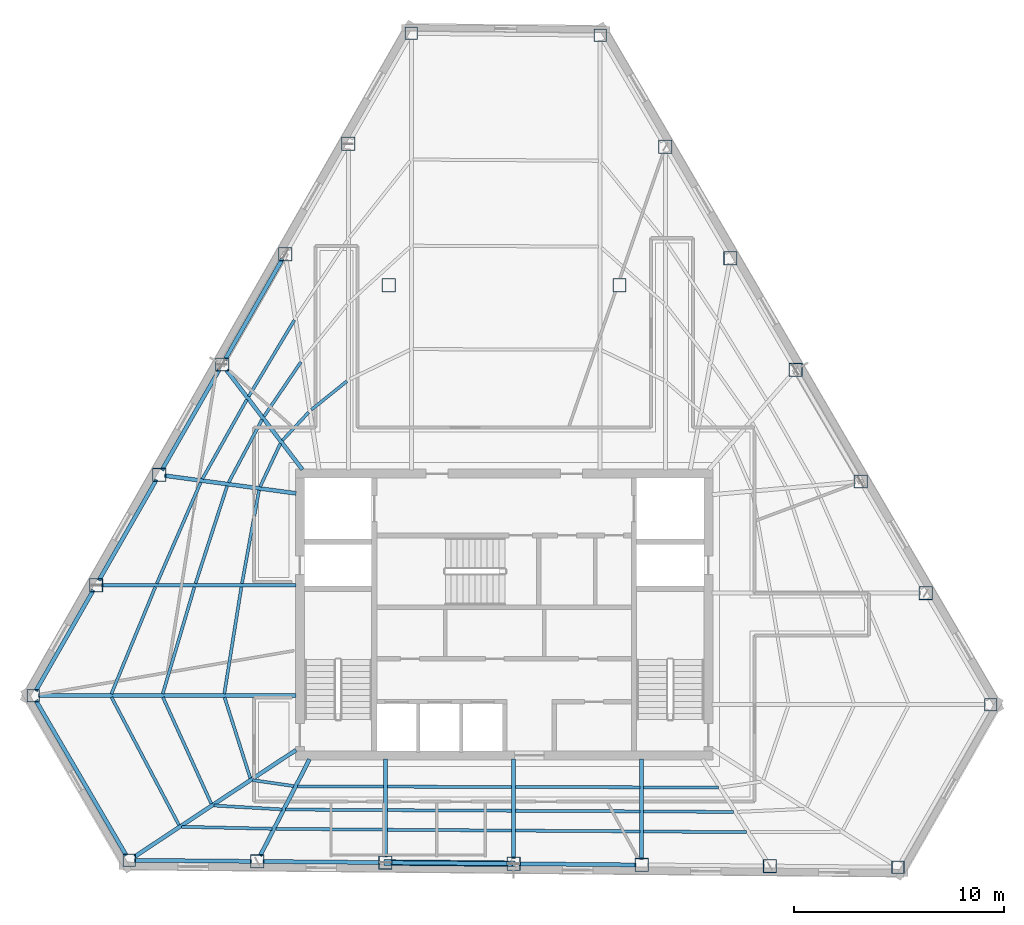
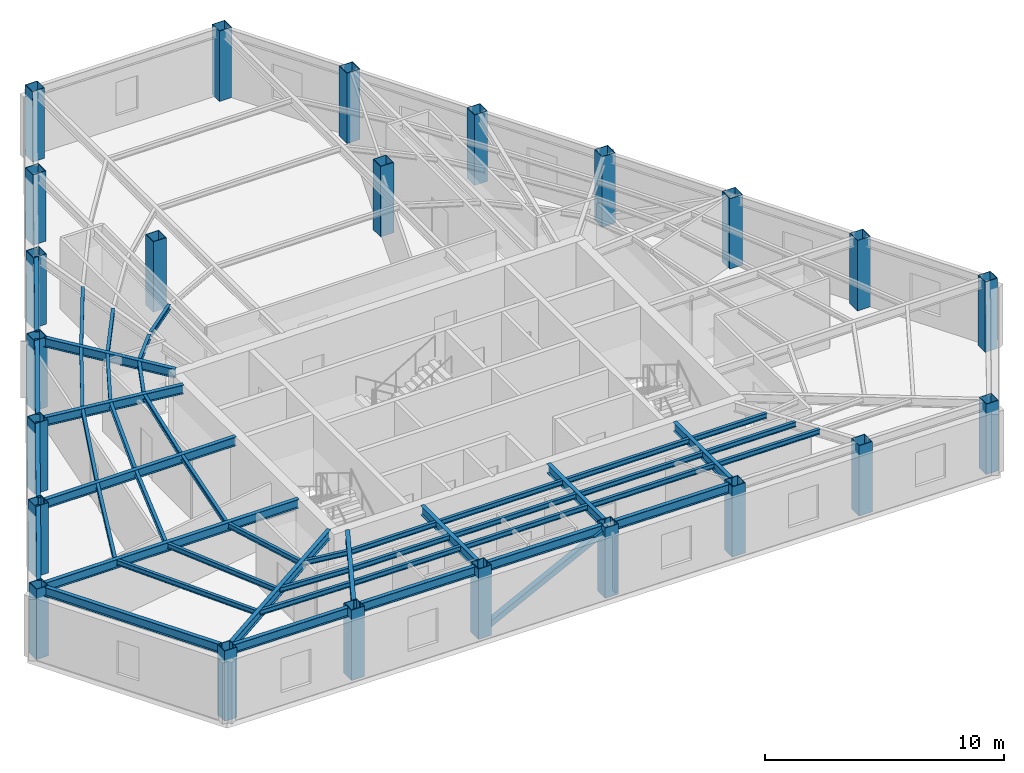
# One storey, part 1 of 11: 49 beams, 23 columns, 1 member.
"""IFC4 building model written with IfcOpenShell, lengths in metres."""

from ifc_helpers import new_model, si_unit, direction, frame, origin, origin_2d, place, context, subcontext, project, spatial, hollow_rectangle, i_section, extrude, material, material_profile, profile_set, type_object, element, save


model = new_model("IFC4")

# Units and contexts
model_context = context("Model", 3, precision=1e-05, world=origin(), true_north=direction((0.0, 1.0)))
body_context = subcontext(model_context, "Body", "Model", "MODEL_VIEW")
ifc_project = project(units=[si_unit("LENGTHUNIT", "METRE"), si_unit("AREAUNIT", "SQUARE_METRE"), si_unit("VOLUMEUNIT", "CUBIC_METRE"), si_unit("PLANEANGLEUNIT", "RADIAN"), si_unit("MASSUNIT", "GRAM", prefix="KILO")], contexts=[model_context])

# Site, building, storey
site_placement = place(None, origin())
site = spatial("IfcSite", under=ifc_project, at=site_placement, CompositionType="ELEMENT")
building_placement = place(site_placement, origin())
building = spatial("IfcBuilding", under=site, at=building_placement, Name="Kavelnor Concourse Tower", CompositionType="ELEMENT")
storey_placement = place(building_placement, frame((0.0, 0.0, 184.25)))
storey = spatial("IfcBuildingStorey", under=building, at=storey_placement, Name="L46", CompositionType="ELEMENT", Elevation=184.25)

# Columns
ifc_material = material(Name="Steel Grade 350", Category="steel")
ifc_material_profile_1 = material_profile(ifc_material, hollow_rectangle(XDim=0.60009765625, YDim=0.60009765625, WallThickness=0.028076171875, at=origin_2d()), Name="SHS 600x600x28")
ifc_profile_set_1 = profile_set([ifc_material_profile_1], Name="Steel Grade 350")
column_type_1 = type_object("IfcColumnType", Name="COL-FOLD-Z3", PredefinedType="COLUMN", material=ifc_profile_set_1)
for number, where, z_axis, x_axis, name in (
    (1, (33.572265625, 43.81005859375, 0.0), (0.0, 0.0, 1.0), (1.0, 0.0, 0.0), "L46 Perimeter Corner-Fold Column F0-B0"),
    (2, (15.53515625, 12.23291015625, 0.0), (0.0, 0.0, 1.0), (1.0, 0.0, 0.0), "L46 Perimeter Corner-Fold Column F0-B6"),
    (3, (20.11474609375, 4.38330078125, 0.0), (0.0, 0.0, 1.0), (1.0, 0.0, 0.0), "L46 Perimeter Corner-Fold Column F1-B0"),
    (4, (56.77978515625, 4.04736328125, 0.0), (0.0, 0.0, 1.0), (1.0, 0.0, 0.0), "L46 Perimeter Corner-Fold Column F1-B6"),
    (5, (61.207763671875, 11.799072265625, 0.0), (0.0, 0.0, 1.0), (1.0, 0.0, 0.0), "L46 Perimeter Corner-Fold Column F2-B0"),
    (6, (42.57958984375, 43.727294921875, 0.0), (0.0, 0.0, 1.0), (1.0, 0.0, 0.0), "L46 Perimeter Corner-Fold Column F2-B6"),
):
    element("IfcColumn", number, at=place(storey_placement, frame(where, z_axis=z_axis, x_axis=x_axis)), inside=storey, type_object=column_type_1, Name=name, PredefinedType="COLUMN", context=body_context, shape_type="SweptSolid", body=[
        extrude(hollow_rectangle(XDim=0.60009765625, YDim=0.60009765625, WallThickness=0.028076171875, at=origin_2d()), origin(), (0.0, 0.0, 1.0), 3.60009765625),
    ])
ifc_material_profile_2 = material_profile(ifc_material, hollow_rectangle(XDim=0.639892578125, YDim=0.639892578125, WallThickness=0.028076171875, at=origin_2d()), Name="SHS 640x640x28")
ifc_profile_set_2 = profile_set([ifc_material_profile_2], Name="Steel Grade 350")
column_type_2 = type_object("IfcColumnType", Name="COL-TUBE-Z3", PredefinedType="COLUMN", material=ifc_profile_set_2)
for number, where, z_axis, x_axis, name in (
    (7, (30.56591796875, 38.547119140625, 0.0), (0.0, 0.0, 1.0), (1.0, 0.0, 0.0), "L46 Perimeter Framed-Tube Column F0-B1"),
    (8, (27.559814453125, 33.2841796875, 0.0), (0.0, 0.0, 1.0), (1.0, 0.0, 0.0), "L46 Perimeter Framed-Tube Column F0-B2"),
    (9, (24.5537109375, 28.021484375, 0.0), (0.0, 0.0, 1.0), (1.0, 0.0, 0.0), "L46 Perimeter Framed-Tube Column F0-B3"),
    (10, (21.547607421875, 22.758544921875, 0.0), (0.0, 0.0, 1.0), (1.0, 0.0, 0.0), "L46 Perimeter Framed-Tube Column F0-B4"),
    (11, (18.54150390625, 17.495849609375, 0.0), (0.0, 0.0, 1.0), (1.0, 0.0, 0.0), "L46 Perimeter Framed-Tube Column F0-B5"),
    (12, (26.2255859375, 4.327392578125, 0.0), (0.0, 0.0, 1.0), (1.0, 0.0, 0.0), "L46 Perimeter Framed-Tube Column F1-B1"),
    (13, (32.33642578125, 4.271484375, 0.0), (0.0, 0.0, 1.0), (1.0, 0.0, 0.0), "L46 Perimeter Framed-Tube Column F1-B2"),
    (14, (38.447509765625, 4.21533203125, 0.0), (0.0, 0.0, 1.0), (1.0, 0.0, 0.0), "L46 Perimeter Framed-Tube Column F1-B3"),
    (15, (44.55810546875, 4.1591796875, 0.0), (0.0, 0.0, 1.0), (1.0, 0.0, 0.0), "L46 Perimeter Framed-Tube Column F1-B4"),
    (16, (50.6689453125, 4.103271484375, 0.0), (0.0, 0.0, 1.0), (1.0, 0.0, 0.0), "L46 Perimeter Framed-Tube Column F1-B5"),
    (17, (58.10302734375, 17.120361328125, 0.0), (0.0, 0.0, 1.0), (1.0, 0.0, 0.0), "L46 Perimeter Framed-Tube Column F2-B1"),
    (18, (54.998291015625, 22.44189453125, 0.0), (0.0, 0.0, 1.0), (1.0, 0.0, 0.0), "L46 Perimeter Framed-Tube Column F2-B2"),
    (19, (51.893798828125, 27.76318359375, 0.0), (0.0, 0.0, 1.0), (1.0, 0.0, 0.0), "L46 Perimeter Framed-Tube Column F2-B3"),
    (20, (48.7890625, 33.084716796875, 0.0), (0.0, 0.0, 1.0), (1.0, 0.0, 0.0), "L46 Perimeter Framed-Tube Column F2-B4"),
    (21, (45.684326171875, 38.406005859375, 0.0), (0.0, 0.0, 1.0), (1.0, 0.0, 0.0), "L46 Perimeter Framed-Tube Column F2-B5"),
    (22, (32.5, 31.800048828125, 0.0), (0.0, 0.0, 1.0), (1.0, 0.0, 0.0), "L46 North Interior Gravity Column BC-NW"),
    (23, (43.5, 31.800048828125, 0.0), (0.0, 0.0, 1.0), (1.0, 0.0, 0.0), "L46 North Interior Gravity Column BC-NE"),
):
    element("IfcColumn", number, at=place(storey_placement, frame(where, z_axis=z_axis, x_axis=x_axis)), inside=storey, type_object=column_type_2, Name=name, PredefinedType="COLUMN", context=body_context, shape_type="SweptSolid", body=[
        extrude(hollow_rectangle(XDim=0.639892578125, YDim=0.639892578125, WallThickness=0.028076171875, at=origin_2d()), origin(), (0.0, 0.0, 1.0), 3.60009765625),
    ])

# Beams
ifc_material_profile_3 = material_profile(ifc_material, i_section(OverallWidth=0.14599609375, OverallDepth=0.256103515625, WebThickness=0.00634765625, FlangeThickness=0.010986328125, at=origin_2d()), Name="250UB37")
ifc_profile_set_3 = profile_set([ifc_material_profile_3], Name="Steel Grade 350")
beam_type_1 = type_object("IfcBeamType", Name="BM-JOIST-250", PredefinedType="JOIST", material=ifc_profile_set_3)
beam_1_placement = place(storey_placement, frame((24.667236328125, 12.148193359375, 3.471923828125), z_axis=(0.303430728848, -0.952853500173, 0.0), x_axis=(0.952853500173, 0.303430728848, 0.0)))
element("IfcBeam", 24, at=beam_1_placement, inside=storey, type_object=beam_type_1, Name="L46 Secondary Composite Joist 01-1", PredefinedType="JOIST", context=body_context, shape_type="SweptSolid", body=[
    extrude(i_section(OverallWidth=0.14599609375, OverallDepth=0.256103515625, WebThickness=0.00634765625, FlangeThickness=0.010986328125, at=origin_2d()), origin(), (0.0, 0.0, 1.0), 4.038330078125),
])
beam_2_placement = place(storey_placement, frame((21.728759765625, 12.15185546875, 3.471923828125), z_axis=(0.414027324102, -0.910264453275, 0.0), x_axis=(0.910264453275, 0.414027324102, 0.0)))
element("IfcBeam", 25, at=beam_2_placement, inside=storey, type_object=beam_type_1, Name="L46 Secondary Composite Joist 01-2", PredefinedType="JOIST", context=body_context, shape_type="SweptSolid", body=[
    extrude(i_section(OverallWidth=0.14599609375, OverallDepth=0.256103515625, WebThickness=0.00634765625, FlangeThickness=0.010986328125, at=origin_2d()), origin(), (0.0, 0.0, 1.0), 5.57421875),
])
beam_3_placement = place(storey_placement, frame((19.276611328125, 12.154296875, 3.471923828125), z_axis=(0.466816344471, -0.884354284512, 0.0), x_axis=(0.884354284512, 0.466816344471, 0.0)))
element("IfcBeam", 26, at=beam_3_placement, inside=storey, type_object=beam_type_1, Name="L46 Secondary Composite Joist 01-3", PredefinedType="JOIST", context=body_context, shape_type="SweptSolid", body=[
    extrude(i_section(OverallWidth=0.14599609375, OverallDepth=0.256103515625, WebThickness=0.00634765625, FlangeThickness=0.010986328125, at=origin_2d()), origin(), (0.0, 0.0, 1.0), 6.891357421875),
])
beam_4_placement = place(storey_placement, frame((26.0078125, 8.202880859375, 3.471923828125), z_axis=(0.989673790529, -0.143338021263, 0.0), x_axis=(0.143338021263, 0.989673790529, 0.0)))
element("IfcBeam", 27, at=beam_4_placement, inside=storey, type_object=beam_type_1, Name="L46 Secondary Composite Joist 02-1", PredefinedType="JOIST", context=body_context, shape_type="SweptSolid", body=[
    extrude(i_section(OverallWidth=0.14599609375, OverallDepth=0.256103515625, WebThickness=0.00634765625, FlangeThickness=0.010986328125, at=origin_2d()), origin(), (0.0, 0.0, 1.0), 1.979248046875),
])
beam_5_placement = place(storey_placement, frame((24.162353515625, 6.99169921875, 3.471923828125), z_axis=(0.998371579355, -0.057045504082, 0.0), x_axis=(0.057045504082, 0.998371579355, 0.0)))
element("IfcBeam", 28, at=beam_5_placement, inside=storey, type_object=beam_type_1, Name="L46 Secondary Composite Joist 02-2", PredefinedType="JOIST", context=body_context, shape_type="SweptSolid", body=[
    extrude(i_section(OverallWidth=0.14599609375, OverallDepth=0.256103515625, WebThickness=0.00634765625, FlangeThickness=0.010986328125, at=origin_2d()), origin(), (0.0, 0.0, 1.0), 3.244140625),
])
beam_6_placement = place(storey_placement, frame((22.6240234375, 5.979248046875, 3.471923828125), z_axis=(0.999749358505, -0.02238794697, 0.0), x_axis=(0.02238794697, 0.999749358505, 0.0)))
element("IfcBeam", 29, at=beam_6_placement, inside=storey, type_object=beam_type_1, Name="L46 Secondary Composite Joist 02-3", PredefinedType="JOIST", context=body_context, shape_type="SweptSolid", body=[
    extrude(i_section(OverallWidth=0.14599609375, OverallDepth=0.256103515625, WebThickness=0.00634765625, FlangeThickness=0.010986328125, at=origin_2d()), origin(), (0.0, 0.0, 1.0), 4.307373046875),
])
beam_7_placement = place(storey_placement, frame((28.1435546875, 7.90625, 3.471923828125), z_axis=(0.999994840368, -0.003212357012, 0.0), x_axis=(0.003212357012, 0.999994840368, 0.0)))
element("IfcBeam", 30, at=beam_7_placement, inside=storey, type_object=beam_type_1, Name="L46 Secondary Composite Joist 03-1", PredefinedType="JOIST", context=body_context, shape_type="SweptSolid", body=[
    extrude(i_section(OverallWidth=0.14599609375, OverallDepth=0.256103515625, WebThickness=0.00634765625, FlangeThickness=0.010986328125, at=origin_2d()), origin(), (0.0, 0.0, 1.0), 4.10400390625),
])
beam_8_placement = place(storey_placement, frame((27.5791015625, 6.801025390625, 3.471923828125), z_axis=(0.999981916301, -0.006013906515, 0.0), x_axis=(0.006013906515, 0.999981916301, 0.0)))
element("IfcBeam", 31, at=beam_8_placement, inside=storey, type_object=beam_type_1, Name="L46 Secondary Composite Joist 03-2", PredefinedType="JOIST", context=body_context, shape_type="SweptSolid", body=[
    extrude(i_section(OverallWidth=0.14599609375, OverallDepth=0.256103515625, WebThickness=0.00634765625, FlangeThickness=0.010986328125, at=origin_2d()), origin(), (0.0, 0.0, 1.0), 4.66845703125),
])
beam_9_placement = place(storey_placement, frame((27.1083984375, 5.880126953125, 3.471923828125), z_axis=(0.99996853134, -0.00793324203, 0.0), x_axis=(0.00793324203, 0.99996853134, 0.0)))
element("IfcBeam", 32, at=beam_9_placement, inside=storey, type_object=beam_type_1, Name="L46 Secondary Composite Joist 03-3", PredefinedType="JOIST", context=body_context, shape_type="SweptSolid", body=[
    extrude(i_section(OverallWidth=0.14599609375, OverallDepth=0.256103515625, WebThickness=0.00634765625, FlangeThickness=0.010986328125, at=origin_2d()), origin(), (0.0, 0.0, 1.0), 5.139404296875),
])
for number, where, z_axis, x_axis, name in (
    (33, (32.425537109375, 7.892578125, 3.471923828125), (0.999996639525, -0.002592477194, 0.0), (0.002592477194, 0.999996639525, 0.0), "L46 Secondary Composite Joist 04-1"),
    (34, (32.425537109375, 6.77197265625, 3.471923828125), (0.999988607205, -0.004773411729, 0.0), (0.004773411729, 0.999988607205, 0.0), "L46 Secondary Composite Joist 04-2"),
):
    element("IfcBeam", number, at=place(storey_placement, frame(where, z_axis=z_axis, x_axis=x_axis)), inside=storey, type_object=beam_type_1, Name=name, PredefinedType="JOIST", context=body_context, shape_type="SweptSolid", body=[
        extrude(i_section(OverallWidth=0.14599609375, OverallDepth=0.256103515625, WebThickness=0.00634765625, FlangeThickness=0.010986328125, at=origin_2d()), origin(), (0.0, 0.0, 1.0), 5.932861328125),
    ])
beam_10_placement = place(storey_placement, frame((32.425537109375, 5.837890625, 3.471923828125), z_axis=(0.999978325576, -0.006583948483, 0.0), x_axis=(0.006583948483, 0.999978325576, 0.0)))
element("IfcBeam", 35, at=beam_10_placement, inside=storey, type_object=beam_type_1, Name="L46 Secondary Composite Joist 04-3", PredefinedType="JOIST", context=body_context, shape_type="SweptSolid", body=[
    extrude(i_section(OverallWidth=0.14599609375, OverallDepth=0.256103515625, WebThickness=0.00634765625, FlangeThickness=0.010986328125, at=origin_2d()), origin(), (0.0, 0.0, 1.0), 5.93310546875),
])
for number, where, z_axis, x_axis, name in (
    (36, (38.536376953125, 7.876953125, 3.471923828125), (0.999996639525, -0.002592477194, 0.0), (0.002592477194, 0.999996639525, 0.0), "L46 Secondary Composite Joist 05-1"),
    (37, (38.536376953125, 6.74267578125, 3.471923828125), (0.999988802783, -0.004732262554, 0.0), (0.004732262554, 0.999988802783, 0.0), "L46 Secondary Composite Joist 05-2"),
):
    element("IfcBeam", number, at=place(storey_placement, frame(where, z_axis=z_axis, x_axis=x_axis)), inside=storey, type_object=beam_type_1, Name=name, PredefinedType="JOIST", context=body_context, shape_type="SweptSolid", body=[
        extrude(i_section(OverallWidth=0.14599609375, OverallDepth=0.256103515625, WebThickness=0.00634765625, FlangeThickness=0.010986328125, at=origin_2d()), origin(), (0.0, 0.0, 1.0), 5.932861328125),
    ])
beam_11_placement = place(storey_placement, frame((38.536376953125, 5.797607421875, 3.471923828125), z_axis=(0.999978325576, -0.006583948483, 0.0), x_axis=(0.006583948483, 0.999978325576, 0.0)))
element("IfcBeam", 38, at=beam_11_placement, inside=storey, type_object=beam_type_1, Name="L46 Secondary Composite Joist 05-3", PredefinedType="JOIST", context=body_context, shape_type="SweptSolid", body=[
    extrude(i_section(OverallWidth=0.14599609375, OverallDepth=0.256103515625, WebThickness=0.00634765625, FlangeThickness=0.010986328125, at=origin_2d()), origin(), (0.0, 0.0, 1.0), 5.93310546875),
])
beam_12_placement = place(storey_placement, frame((44.647216796875, 7.861083984375, 3.471923828125), z_axis=(0.999987848666, -0.004929758651, 0.0), x_axis=(0.004929758651, 0.999987848666, 0.0)))
element("IfcBeam", 39, at=beam_12_placement, inside=storey, type_object=beam_type_1, Name="L46 Secondary Composite Joist 06-1", PredefinedType="JOIST", context=body_context, shape_type="SweptSolid", body=[
    extrude(i_section(OverallWidth=0.14599609375, OverallDepth=0.256103515625, WebThickness=0.00634765625, FlangeThickness=0.010986328125, at=origin_2d()), origin(), (0.0, 0.0, 1.0), 3.565673828125),
])
beam_13_placement = place(storey_placement, frame((44.647216796875, 6.71337890625, 3.471923828125), z_axis=(0.999979405903, -0.0064177698, 0.0), x_axis=(0.0064177698, 0.999979405903, 0.0)))
element("IfcBeam", 40, at=beam_13_placement, inside=storey, type_object=beam_type_1, Name="L46 Secondary Composite Joist 06-2", PredefinedType="JOIST", context=body_context, shape_type="SweptSolid", body=[
    extrude(i_section(OverallWidth=0.14599609375, OverallDepth=0.256103515625, WebThickness=0.00634765625, FlangeThickness=0.010986328125, at=origin_2d()), origin(), (0.0, 0.0, 1.0), 4.298583984375),
])
beam_14_placement = place(storey_placement, frame((44.647216796875, 5.757080078125, 3.471923828125), z_axis=(0.999972914426, -0.007360055268, 0.0), x_axis=(0.007360055268, 0.999972914426, 0.0)))
element("IfcBeam", 41, at=beam_14_placement, inside=storey, type_object=beam_type_1, Name="L46 Secondary Composite Joist 06-3", PredefinedType="JOIST", context=body_context, shape_type="SweptSolid", body=[
    extrude(i_section(OverallWidth=0.14599609375, OverallDepth=0.256103515625, WebThickness=0.00634765625, FlangeThickness=0.010986328125, at=origin_2d()), origin(), (0.0, 0.0, 1.0), 4.909423828125),
])
beam_15_placement = place(storey_placement, frame((30.49658203125, 27.224609375, 3.471923828125), z_axis=(-0.779089338123, -0.626912915183, 0.0), x_axis=(0.626912915183, -0.779089338123, 0.0)))
element("IfcBeam", 42, at=beam_15_placement, inside=storey, type_object=beam_type_1, Name="L46 Secondary Composite Joist 17-1", PredefinedType="JOIST", context=body_context, shape_type="SweptSolid", body=[
    extrude(i_section(OverallWidth=0.14599609375, OverallDepth=0.256103515625, WebThickness=0.00634765625, FlangeThickness=0.010986328125, at=origin_2d()), origin(), (0.0, 0.0, 1.0), 2.17236328125),
])
beam_16_placement = place(storey_placement, frame((28.674072265625, 25.741943359375, 3.471923828125), z_axis=(-0.681167142073, -0.732127942753, 0.0), x_axis=(0.732127942753, -0.681167142073, 0.0)))
element("IfcBeam", 43, at=beam_16_placement, inside=storey, type_object=beam_type_1, Name="L46 Secondary Composite Joist 18-1", PredefinedType="JOIST", context=body_context, shape_type="SweptSolid", body=[
    extrude(i_section(OverallWidth=0.14599609375, OverallDepth=0.256103515625, WebThickness=0.00634765625, FlangeThickness=0.010986328125, at=origin_2d()), origin(), (0.0, 0.0, 1.0), 1.830078125),
])
beam_17_placement = place(storey_placement, frame((28.306640625, 28.138916015625, 3.471923828125), z_axis=(-0.561949486016, -0.827171551231, 0.0), x_axis=(0.827171551231, -0.561949486016, 0.0)))
element("IfcBeam", 44, at=beam_17_placement, inside=storey, type_object=beam_type_1, Name="L46 Secondary Composite Joist 18-2", PredefinedType="JOIST", context=body_context, shape_type="SweptSolid", body=[
    extrude(i_section(OverallWidth=0.14599609375, OverallDepth=0.256103515625, WebThickness=0.00634765625, FlangeThickness=0.010986328125, at=origin_2d()), origin(), (0.0, 0.0, 1.0), 3.130615234375),
])
beam_18_placement = place(storey_placement, frame((27.99609375, 30.140869140625, 3.471923828125), z_axis=(-0.513377976738, -0.858162602891, 0.0), x_axis=(0.858162602891, -0.513377976738, 0.0)))
element("IfcBeam", 45, at=beam_18_placement, inside=storey, type_object=beam_type_1, Name="L46 Secondary Composite Joist 18-3", PredefinedType="JOIST", context=body_context, shape_type="SweptSolid", body=[
    extrude(i_section(OverallWidth=0.14599609375, OverallDepth=0.256103515625, WebThickness=0.00634765625, FlangeThickness=0.010986328125, at=origin_2d()), origin(), (0.0, 0.0, 1.0), 4.241455078125),
])
beam_19_placement = place(storey_placement, frame((27.3291015625, 24.25634765625, 3.471923828125), z_axis=(-0.42474406408, -0.905313470588, 0.0), x_axis=(0.905313470588, -0.42474406408, 0.0)))
element("IfcBeam", 46, at=beam_19_placement, inside=storey, type_object=beam_type_1, Name="L46 Secondary Composite Joist 19-1", PredefinedType="JOIST", context=body_context, shape_type="SweptSolid", body=[
    extrude(i_section(OverallWidth=0.14599609375, OverallDepth=0.256103515625, WebThickness=0.00634765625, FlangeThickness=0.010986328125, at=origin_2d()), origin(), (0.0, 0.0, 1.0), 2.278564453125),
])
beam_20_placement = place(storey_placement, frame((26.45556640625, 25.397216796875, 3.471923828125), z_axis=(-0.46927948081, -0.88304969786, 0.0), x_axis=(0.88304969786, -0.46927948081, 0.0)))
element("IfcBeam", 47, at=beam_20_placement, inside=storey, type_object=beam_type_1, Name="L46 Secondary Composite Joist 19-2", PredefinedType="JOIST", context=body_context, shape_type="SweptSolid", body=[
    extrude(i_section(OverallWidth=0.14599609375, OverallDepth=0.256103515625, WebThickness=0.00634765625, FlangeThickness=0.010986328125, at=origin_2d()), origin(), (0.0, 0.0, 1.0), 3.39990234375),
])
beam_21_placement = place(storey_placement, frame((25.729248046875, 26.346923828125, 3.471923828125), z_axis=(-0.489170569089, -0.872188141594, 0.0), x_axis=(0.872188141594, -0.489170569089, 0.0)))
element("IfcBeam", 48, at=beam_21_placement, inside=storey, type_object=beam_type_1, Name="L46 Secondary Composite Joist 19-3", PredefinedType="JOIST", context=body_context, shape_type="SweptSolid", body=[
    extrude(i_section(OverallWidth=0.14599609375, OverallDepth=0.256103515625, WebThickness=0.00634765625, FlangeThickness=0.010986328125, at=origin_2d()), origin(), (0.0, 0.0, 1.0), 4.337646484375),
])
beam_22_placement = place(storey_placement, frame((26.3076171875, 22.025390625, 3.471923828125), z_axis=(-0.179304158852, -0.983793687019, 0.0), x_axis=(0.983793687019, -0.179304158852, 0.0)))
element("IfcBeam", 49, at=beam_22_placement, inside=storey, type_object=beam_type_1, Name="L46 Secondary Composite Joist 20-1", PredefinedType="JOIST", context=body_context, shape_type="SweptSolid", body=[
    extrude(i_section(OverallWidth=0.14599609375, OverallDepth=0.256103515625, WebThickness=0.00634765625, FlangeThickness=0.010986328125, at=origin_2d()), origin(), (0.0, 0.0, 1.0), 4.51513671875),
])
beam_23_placement = place(storey_placement, frame((24.791015625, 22.231689453125, 3.471923828125), z_axis=(-0.308472950673, -0.951233114806, 0.0), x_axis=(0.951233114806, -0.308472950673, 0.0)))
element("IfcBeam", 50, at=beam_23_placement, inside=storey, type_object=beam_type_1, Name="L46 Secondary Composite Joist 20-2", PredefinedType="JOIST", context=body_context, shape_type="SweptSolid", body=[
    extrude(i_section(OverallWidth=0.14599609375, OverallDepth=0.256103515625, WebThickness=0.00634765625, FlangeThickness=0.010986328125, at=origin_2d()), origin(), (0.0, 0.0, 1.0), 4.8896484375),
])
beam_24_placement = place(storey_placement, frame((23.528564453125, 22.404296875, 3.471923828125), z_axis=(-0.397942077318, -0.917410542287, 0.0), x_axis=(0.917410542287, -0.397942077318, 0.0)))
element("IfcBeam", 51, at=beam_24_placement, inside=storey, type_object=beam_type_1, Name="L46 Secondary Composite Joist 20-3", PredefinedType="JOIST", context=body_context, shape_type="SweptSolid", body=[
    extrude(i_section(OverallWidth=0.14599609375, OverallDepth=0.256103515625, WebThickness=0.00634765625, FlangeThickness=0.010986328125, at=origin_2d()), origin(), (0.0, 0.0, 1.0), 5.261474609375),
])
beam_25_placement = place(storey_placement, frame((25.468017578125, 17.407958984375, 3.471923828125), z_axis=(-0.157947991205, -0.987447432563, 0.0), x_axis=(0.987447432563, -0.157947991205, 0.0)))
element("IfcBeam", 52, at=beam_25_placement, inside=storey, type_object=beam_type_1, Name="L46 Secondary Composite Joist 21-1", PredefinedType="JOIST", context=body_context, shape_type="SweptSolid", body=[
    extrude(i_section(OverallWidth=0.14599609375, OverallDepth=0.256103515625, WebThickness=0.00634765625, FlangeThickness=0.010986328125, at=origin_2d()), origin(), (0.0, 0.0, 1.0), 5.15185546875),
])
beam_26_placement = place(storey_placement, frame((23.229736328125, 17.410400390625, 3.471923828125), z_axis=(-0.284715756442, -0.958611985129, 0.0), x_axis=(0.958611985129, -0.284715756442, 0.0)))
element("IfcBeam", 53, at=beam_26_placement, inside=storey, type_object=beam_type_1, Name="L46 Secondary Composite Joist 21-2", PredefinedType="JOIST", context=body_context, shape_type="SweptSolid", body=[
    extrude(i_section(OverallWidth=0.14599609375, OverallDepth=0.256103515625, WebThickness=0.00634765625, FlangeThickness=0.010986328125, at=origin_2d()), origin(), (0.0, 0.0, 1.0), 5.312255859375),
])
beam_27_placement = place(storey_placement, frame((21.365478515625, 17.41357421875, 3.471923828125), z_axis=(-0.380337687694, -0.924847686552, 0.0), x_axis=(0.924847686552, -0.380337687694, 0.0)))
element("IfcBeam", 54, at=beam_27_placement, inside=storey, type_object=beam_type_1, Name="L46 Secondary Composite Joist 21-3", PredefinedType="JOIST", context=body_context, shape_type="SweptSolid", body=[
    extrude(i_section(OverallWidth=0.14599609375, OverallDepth=0.256103515625, WebThickness=0.00634765625, FlangeThickness=0.010986328125, at=origin_2d()), origin(), (0.0, 0.0, 1.0), 5.5126953125),
])
ifc_material_profile_4 = material_profile(ifc_material, i_section(OverallWidth=0.18994140625, OverallDepth=0.4541015625, WebThickness=0.008544921875, FlangeThickness=0.0126953125, at=origin_2d()), Name="460UB67")
ifc_profile_set_4 = profile_set([ifc_material_profile_4], Name="Steel Grade 350")
beam_type_2 = type_object("IfcBeamType", Name="BM-PRIMARY-460", PredefinedType="BEAM", material=ifc_profile_set_4)
beam_28_placement = place(storey_placement, frame((28.381103515625, 23.00830078125, 3.373046875), z_axis=(-0.606809330939, 0.794847429313, 0.0), x_axis=(-0.794847429313, -0.606809330939, 0.0)))
element("IfcBeam", 55, at=beam_28_placement, inside=storey, type_object=beam_type_2, Name="L46 Primary Floor Girder F0-B3", PredefinedType="BEAM", context=body_context, shape_type="SweptSolid", body=[
    extrude(i_section(OverallWidth=0.18994140625, OverallDepth=0.4541015625, WebThickness=0.008544921875, FlangeThickness=0.0126953125, at=origin_2d()), origin(), (0.0, 0.0, 1.0), 5.9697265625),
])
beam_29_placement = place(storey_placement, frame((28.07958984375, 21.875732421875, 3.373046875), z_axis=(-0.990989801266, 0.133937350228, 0.0), x_axis=(-0.133937350228, -0.990989801266, 0.0)))
element("IfcBeam", 56, at=beam_29_placement, inside=storey, type_object=beam_type_2, Name="L46 Primary Floor Girder F0-B4", PredefinedType="BEAM", context=body_context, shape_type="SweptSolid", body=[
    extrude(i_section(OverallWidth=0.18994140625, OverallDepth=0.4541015625, WebThickness=0.008544921875, FlangeThickness=0.0126953125, at=origin_2d()), origin(), (0.0, 0.0, 1.0), 6.328857421875),
])
beam_30_placement = place(storey_placement, frame((28.080078125, 17.495849609375, 3.373046875), z_axis=(-1.0, 0.0, 0.0), x_axis=(0.0, -1.0, 0.0)))
element("IfcBeam", 57, at=beam_30_placement, inside=storey, type_object=beam_type_2, Name="L46 Primary Floor Girder F0-B5", PredefinedType="BEAM", context=body_context, shape_type="SweptSolid", body=[
    extrude(i_section(OverallWidth=0.18994140625, OverallDepth=0.4541015625, WebThickness=0.008544921875, FlangeThickness=0.0126953125, at=origin_2d()), origin(), (0.0, 0.0, 1.0), 9.278564453125),
])
beam_31_placement = place(storey_placement, frame((28.080078125, 12.23291015625, 3.373046875), z_axis=(-1.0, 0.0, 0.0), x_axis=(0.0, -1.0, 0.0)))
element("IfcBeam", 58, at=beam_31_placement, inside=storey, type_object=beam_type_2, Name="L46 Primary Floor Girder F0-B6", PredefinedType="BEAM", context=body_context, shape_type="SweptSolid", body=[
    extrude(i_section(OverallWidth=0.18994140625, OverallDepth=0.4541015625, WebThickness=0.008544921875, FlangeThickness=0.0126953125, at=origin_2d()), origin(), (0.0, 0.0, 1.0), 12.284912109375),
])
beam_32_placement = place(storey_placement, frame((28.073486328125, 9.637451171875, 3.373046875), z_axis=(-0.834543886542, -0.550941468248, 0.0), x_axis=(0.550941468248, -0.834543886542, 0.0)))
element("IfcBeam", 59, at=beam_32_placement, inside=storey, type_object=beam_type_2, Name="L46 Primary Floor Girder F1-B0", PredefinedType="BEAM", context=body_context, shape_type="SweptSolid", body=[
    extrude(i_section(OverallWidth=0.18994140625, OverallDepth=0.4541015625, WebThickness=0.008544921875, FlangeThickness=0.0126953125, at=origin_2d()), origin(), (0.0, 0.0, 1.0), 9.21728515625),
])
beam_33_placement = place(storey_placement, frame((28.71337890625, 9.195556640625, 3.373046875), z_axis=(-0.455072786725, -0.890454242947, 0.0), x_axis=(0.890454242947, -0.455072786725, 0.0)))
element("IfcBeam", 60, at=beam_33_placement, inside=storey, type_object=beam_type_2, Name="L46 Primary Floor Girder F1-B1", PredefinedType="BEAM", context=body_context, shape_type="SweptSolid", body=[
    extrude(i_section(OverallWidth=0.18994140625, OverallDepth=0.4541015625, WebThickness=0.008544921875, FlangeThickness=0.0126953125, at=origin_2d()), origin(), (0.0, 0.0, 1.0), 5.170166015625),
])
beam_34_placement = place(storey_placement, frame((32.33642578125, 9.199951171875, 3.373046875), z_axis=(0.0, -1.0, 0.0), x_axis=(1.0, 0.0, 0.0)))
element("IfcBeam", 61, at=beam_34_placement, inside=storey, type_object=beam_type_2, Name="L46 Primary Floor Girder F1-B2", PredefinedType="BEAM", context=body_context, shape_type="SweptSolid", body=[
    extrude(i_section(OverallWidth=0.18994140625, OverallDepth=0.4541015625, WebThickness=0.008544921875, FlangeThickness=0.0126953125, at=origin_2d()), origin(), (0.0, 0.0, 1.0), 4.66845703125),
])
beam_35_placement = place(storey_placement, frame((38.447509765625, 9.199951171875, 3.373046875), z_axis=(0.0, -1.0, 0.0), x_axis=(1.0, 0.0, 0.0)))
element("IfcBeam", 62, at=beam_35_placement, inside=storey, type_object=beam_type_2, Name="L46 Primary Floor Girder F1-B3", PredefinedType="BEAM", context=body_context, shape_type="SweptSolid", body=[
    extrude(i_section(OverallWidth=0.18994140625, OverallDepth=0.4541015625, WebThickness=0.008544921875, FlangeThickness=0.0126953125, at=origin_2d()), origin(), (0.0, 0.0, 1.0), 4.724609375),
])
beam_36_placement = place(storey_placement, frame((44.55810546875, 9.199951171875, 3.373046875), z_axis=(0.0, -1.0, 0.0), x_axis=(1.0, 0.0, 0.0)))
element("IfcBeam", 63, at=beam_36_placement, inside=storey, type_object=beam_type_2, Name="L46 Primary Floor Girder F1-B4", PredefinedType="BEAM", context=body_context, shape_type="SweptSolid", body=[
    extrude(i_section(OverallWidth=0.18994140625, OverallDepth=0.4541015625, WebThickness=0.008544921875, FlangeThickness=0.0126953125, at=origin_2d()), origin(), (0.0, 0.0, 1.0), 4.78076171875),
])
ifc_material_profile_5 = material_profile(ifc_material, i_section(OverallWidth=0.19091796875, OverallDepth=0.4599609375, WebThickness=0.010009765625, FlangeThickness=0.01611328125, at=origin_2d()), Name="460UB82")
ifc_profile_set_5 = profile_set([ifc_material_profile_5], Name="Steel Grade 350")
beam_type_3 = type_object("IfcBeamType", Name="BM-SPANDREL-Z3", PredefinedType="SPANDREL", material=ifc_profile_set_5)
beam_37_placement = place(storey_placement, frame((27.428466796875, 33.05419921875, 3.3701171875), z_axis=(-0.496020090717, -0.868311044272, 0.0), x_axis=(0.868311044272, -0.496020090717, 0.0)))
element("IfcBeam", 64, at=beam_37_placement, inside=storey, type_object=beam_type_3, Name="L46 Perimeter Tube Spandrel Beam F0-B2", PredefinedType="SPANDREL", context=body_context, shape_type="SweptSolid", body=[
    extrude(i_section(OverallWidth=0.19091796875, OverallDepth=0.4599609375, WebThickness=0.010009765625, FlangeThickness=0.01611328125, at=origin_2d()), origin(), (0.0, 0.0, 1.0), 5.53076171875),
])
for number, where, z_axis, x_axis, name in (
    (65, (24.42236328125, 27.79150390625, 3.3701171875), (-0.496001079516, -0.868321904088, 0.0), (0.868321904088, -0.496001079516, 0.0), "L46 Perimeter Tube Spandrel Beam F0-B3"),
    (66, (21.416015625, 22.528564453125, 3.3701171875), (-0.495967797623, -0.868340914457, 0.0), (0.868340914457, -0.495967797623, 0.0), "L46 Perimeter Tube Spandrel Beam F0-B4"),
    (67, (18.409912109375, 17.265625, 3.3701171875), (-0.496001079516, -0.868321904088, 0.0), (0.868321904088, -0.496001079516, 0.0), "L46 Perimeter Tube Spandrel Beam F0-B5"),
):
    element("IfcBeam", number, at=place(storey_placement, frame(where, z_axis=z_axis, x_axis=x_axis)), inside=storey, type_object=beam_type_3, Name=name, PredefinedType="SPANDREL", context=body_context, shape_type="SweptSolid", body=[
        extrude(i_section(OverallWidth=0.19091796875, OverallDepth=0.4599609375, WebThickness=0.010009765625, FlangeThickness=0.01611328125, at=origin_2d()), origin(), (0.0, 0.0, 1.0), 5.531005859375),
    ])
beam_38_placement = place(storey_placement, frame((20.3798828125, 4.381103515625, 3.3701171875), z_axis=(0.99995780445, -0.009186365936, 0.0), x_axis=(0.009186365936, 0.99995780445, 0.0)))
element("IfcBeam", 68, at=beam_38_placement, inside=storey, type_object=beam_type_3, Name="L46 Perimeter Tube Spandrel Beam F1-B0", PredefinedType="SPANDREL", context=body_context, shape_type="SweptSolid", body=[
    extrude(i_section(OverallWidth=0.19091796875, OverallDepth=0.4599609375, WebThickness=0.010009765625, FlangeThickness=0.01611328125, at=origin_2d()), origin(), (0.0, 0.0, 1.0), 5.5810546875),
])
beam_39_placement = place(storey_placement, frame((26.490478515625, 4.324951171875, 3.3701171875), z_axis=(0.999957808142, -0.009185964117, 0.0), x_axis=(0.009185964117, 0.999957808142, 0.0)))
element("IfcBeam", 69, at=beam_39_placement, inside=storey, type_object=beam_type_3, Name="L46 Perimeter Tube Spandrel Beam F1-B1", PredefinedType="SPANDREL", context=body_context, shape_type="SweptSolid", body=[
    extrude(i_section(OverallWidth=0.19091796875, OverallDepth=0.4599609375, WebThickness=0.010009765625, FlangeThickness=0.01611328125, at=origin_2d()), origin(), (0.0, 0.0, 1.0), 5.581298828125),
])
for number, where, z_axis, x_axis, name in (
    (70, (32.6015625, 4.26904296875, 3.3701171875), (0.99995780445, -0.009186365936, 0.0), (0.009186365936, 0.99995780445, 0.0), "L46 Perimeter Tube Spandrel Beam F1-B2"),
    (71, (38.71240234375, 4.212890625, 3.3701171875), (0.99995780445, -0.009186365936, 0.0), (0.009186365936, 0.99995780445, 0.0), "L46 Perimeter Tube Spandrel Beam F1-B3"),
):
    element("IfcBeam", number, at=place(storey_placement, frame(where, z_axis=z_axis, x_axis=x_axis)), inside=storey, type_object=beam_type_3, Name=name, PredefinedType="SPANDREL", context=body_context, shape_type="SweptSolid", body=[
        extrude(i_section(OverallWidth=0.19091796875, OverallDepth=0.4599609375, WebThickness=0.010009765625, FlangeThickness=0.01611328125, at=origin_2d()), origin(), (0.0, 0.0, 1.0), 5.5810546875),
    ])
beam_40_placement = place(storey_placement, frame((15.668701171875, 12.00390625, 3.3701171875), z_axis=(0.503934881631, -0.863741648339, 0.0), x_axis=(0.863741648339, 0.503934881631, 0.0)))
element("IfcBeam", 72, at=beam_40_placement, inside=storey, type_object=beam_type_3, Name="L46 Chamfer Facet Spandrel Beam C1", PredefinedType="SPANDREL", context=body_context, shape_type="SweptSolid", body=[
    extrude(i_section(OverallWidth=0.19091796875, OverallDepth=0.4599609375, WebThickness=0.010009765625, FlangeThickness=0.01611328125, at=origin_2d()), origin(), (0.0, 0.0, 1.0), 8.5576171875),
])

# Member
ifc_material_profile_6 = material_profile(ifc_material, hollow_rectangle(XDim=0.280029296875, YDim=0.280029296875, WallThickness=0.01611328125, at=origin_2d()), Name="SHS 280x280x16")
ifc_profile_set_6 = profile_set([ifc_material_profile_6], Name="Steel Grade 350")
member_type = type_object("IfcMemberType", Name="MBR-TUBE-DIAG-Z3", PredefinedType="BRACE", material=ifc_profile_set_6)
member_placement = place(storey_placement, frame((32.33642578125, 4.271484375, 0.219970703125), z_axis=(0.888825724524, -0.008167069499, 0.458172598919), x_axis=(0.009188218254, 0.999957787432, 0.0)))
element("IfcMember", 73, at=member_placement, inside=storey, type_object=member_type, Name="L46 Framed-Tube Bracing Diagonal F1-B2", PredefinedType="BRACE", context=body_context, shape_type="SweptSolid", body=[
    extrude(hollow_rectangle(XDim=0.280029296875, YDim=0.280029296875, WallThickness=0.01611328125, at=origin_2d()), origin(), (0.0, 0.0, 1.0), 6.87548828125),
])

save(model, "model.ifc")
